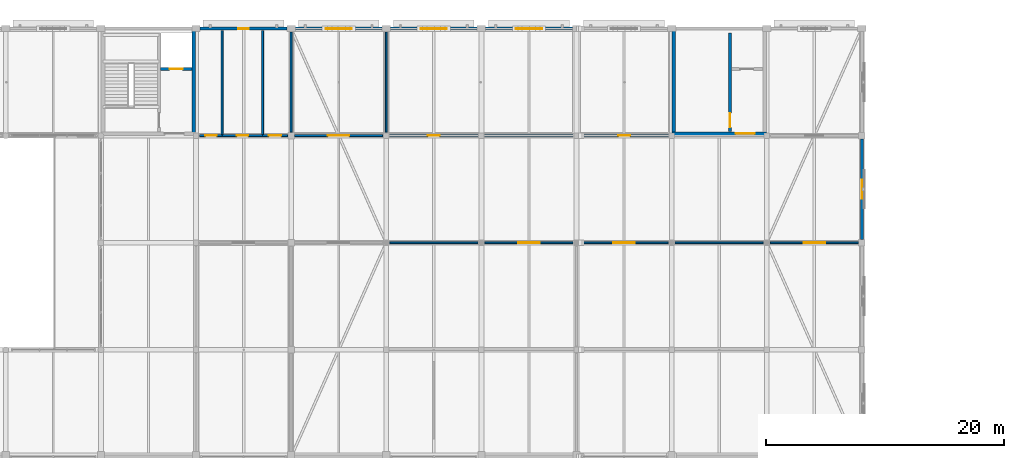
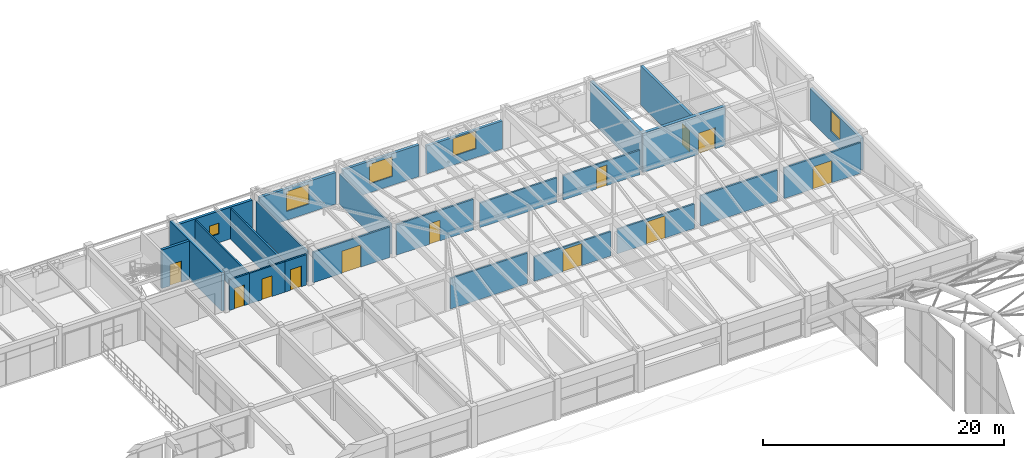
# One storey, part 101 of 126: 26 walls, 12 doors, 5 windows, 17 openings.
"""IFC4 building model written with IfcOpenShell, lengths in metres."""

from ifc_helpers import new_model, si_unit, direction, frame, frame_2d, origin, place, context, subcontext, project, spatial, rectangle, extrude, material, layer, layer_set, type_object, element, fill, save


model = new_model("IFC4")

# Units and contexts
model_context = context("Model", 3, precision=1e-05, world=origin(), true_north=direction((0.0, 1.0)))
body_context = subcontext(model_context, "Body", "Model", "MODEL_VIEW")
ifc_project = project(units=[si_unit("LENGTHUNIT", "METRE"), si_unit("AREAUNIT", "SQUARE_METRE"), si_unit("VOLUMEUNIT", "CUBIC_METRE"), si_unit("PLANEANGLEUNIT", "RADIAN"), si_unit("MASSUNIT", "GRAM", prefix="KILO")], contexts=[model_context])

# Site, building, storey
site_placement = place(None, origin())
site = spatial("IfcSite", under=ifc_project, at=site_placement, CompositionType="ELEMENT")
building_placement = place(site_placement, origin())
building = spatial("IfcBuilding", under=site, at=building_placement, Name="Varnabhumi Central Station", CompositionType="ELEMENT")
storey_placement = place(building_placement, frame((0.0, 0.0, 16.199951171875)))
storey = spatial("IfcBuildingStorey", under=building, at=storey_placement, Name="L03", CompositionType="ELEMENT", Elevation=16.199951171875)

# Walls
ifc_material_1 = material(Name="Concrete M40", Category="concrete")
ifc_layer_1 = layer(ifc_material_1, 0.300048828125, Name="Concrete M40", Category="concrete")
ifc_layer_set_1 = layer_set([ifc_layer_1], Name="Concrete M40")
wall_type_1 = type_object("IfcWallType", Name="WAL-CORE-RC-300", PredefinedType="SHEAR", material=ifc_layer_set_1)
wall_1_placement = place(storey_placement, frame((87.820068359375, 107.179931640625, 0.0), z_axis=(0.0, 0.0, 1.0), x_axis=(0.0, 1.0, 0.0)))
element("IfcWall", 1, at=wall_1_placement, inside=storey, type_object=wall_type_1, Name="NC2 L03 East Shear Wall", PredefinedType="SHEAR", context=body_context, shape_type="SweptSolid", body=[
    extrude(rectangle(XDim=8.64013671875, YDim=0.300048828125, at=frame_2d((4.320068359375, 0.0))), origin(), (0.0, 0.0, 1.0), 3.920166015625),
])
wall_2_placement = place(storey_placement, frame((128.179931640625, 107.179931640625, 0.0), z_axis=(0.0, 0.0, 1.0), x_axis=(0.0, 1.0, 0.0)))
element("IfcWall", 2, at=wall_2_placement, inside=storey, type_object=wall_type_1, Name="NC3 L03 West Shear Wall", PredefinedType="SHEAR", context=body_context, shape_type="SweptSolid", body=[
    extrude(rectangle(XDim=8.64013671875, YDim=0.300048828125, at=frame_2d((4.320068359375, 0.0))), origin(), (0.0, 0.0, 1.0), 3.97998046875),
])

# Wall, opening, door
wall_3_placement = place(storey_placement, frame((128.030029296875, 107.179931640625, 0.0), z_axis=(0.0, 0.0, 1.0), x_axis=(1.0, 0.0, 0.0)))
wall_3 = element("IfcWall", 3, at=wall_3_placement, inside=storey, type_object=wall_type_1, Name="NC3 L03 Corridor Shear Wall", PredefinedType="SHEAR", context=body_context, shape_type="SweptSolid", body=[
    extrude(rectangle(XDim=7.93994140625, YDim=0.300048828125, at=frame_2d((3.969970703125, 0.0))), origin(), (0.0, 0.0, 1.0), 3.97998046875),
])
opening_1_placement = place(wall_3_placement, frame((5.35009765625, 0.0, 0.0)))
opening_1 = element("IfcOpeningElement", 4, at=opening_1_placement, cuts=wall_3, Name="Opening FD-60D", PredefinedType="OPENING", context=body_context, shape_type="SweptSolid", body=[
    extrude(rectangle(XDim=1.60009765625, YDim=2.14990234375, at=frame_2d((0.800048828125, 1.074951171875))), frame((0.0, 0.159912109375, 0.0), z_axis=(0.0, -1.0, 0.0), x_axis=(1.0, 0.0, 0.0)), (0.0, 0.0, 1.0), 0.320068359375),
])
ifc_material_2 = material(Name="Intumescent-treated hardwood timber", Category="wood")
door_type_1 = type_object("IfcDoorType", Name="DR-FIRE-60-1600", OperationType="NOTDEFINED", PredefinedType="DOOR", material=ifc_material_2)
door_1_placement = place(opening_1_placement, frame((1.60009765625, 0.0, 0.0), z_axis=(0.0, 0.0, 1.0), x_axis=(-1.0, 0.0, 0.0)))
door_1 = element("IfcDoor", 5, at=door_1_placement, inside=storey, type_object=door_type_1, Name="NC3 L03 Lobby Fire Door", OperationType="DOUBLE_DOOR_SINGLE_SWING", OverallHeight=2.14990234375, OverallWidth=1.60009765625, PredefinedType="DOOR", context=body_context, shape_type="SweptSolid", body=[
    extrude(rectangle(XDim=1.60009765625, YDim=2.14990234375, at=frame_2d((0.800048828125, 1.074951171875))), frame((0.0, 0.02490234375, 0.0), z_axis=(0.0, -1.0, 0.0), x_axis=(1.0, 0.0, 0.0)), (0.0, 0.0, 1.0), 0.050048828125),
])
fill(opening_1, door_1)

# Wall, opening, window
ifc_material_3 = material(Name="Autoclaved aerated blockwork masonry", Category="masonry")
ifc_layer_2 = layer(ifc_material_3, 0.260009765625, Name="Autoclaved aerated blockwork masonry", Category="masonry")
ifc_layer_set_2 = layer_set([ifc_layer_2], Name="Autoclaved aerated blockwork masonry")
wall_type_2 = type_object("IfcWallType", Name="WAL-EXT-STUCCO-260", PredefinedType="SOLIDWALL", material=ifc_layer_set_2)
wall_4_placement = place(storey_placement, frame((88.344970703125, 116.0, 0.0), z_axis=(0.0, 0.0, 1.0), x_axis=(1.0, 0.0, 0.0)))
wall_4 = element("IfcWall", 6, at=wall_4_placement, inside=storey, type_object=wall_type_2, Name="North Boulevard Wall L03-9", PredefinedType="SOLIDWALL", context=body_context, shape_type="SweptSolid", body=[
    extrude(rectangle(XDim=7.31005859375, YDim=0.260009765625, at=frame_2d((3.655029296875, 0.0))), origin(), (0.0, 0.0, 1.0), 3.2099609375),
])
opening_2_placement = place(wall_4_placement, frame((3.205078125, 0.0, 0.89990234375)))
opening_2 = element("IfcOpeningElement", 7, at=opening_2_placement, cuts=wall_4, Name="Opening W-09", PredefinedType="OPENING", context=body_context, shape_type="SweptSolid", body=[
    extrude(rectangle(XDim=0.89990234375, YDim=1.10009765625, at=frame_2d((0.449951171875, 0.550048828125))), frame((0.0, 0.139892578125, 0.0), z_axis=(0.0, -1.0, 0.0), x_axis=(1.0, 0.0, 0.0)), (0.0, 0.0, 1.0), 0.280029296875),
])
ifc_material_4 = material(Name="Laminated low-E double glazing", Category="glass")
window_type_1 = type_object("IfcWindowType", Name="WIN-WC-900x1100", PartitioningType="SINGLE_PANEL", PredefinedType="WINDOW", material=ifc_material_4)
window_1_placement = place(opening_2_placement, origin())
window_1 = element("IfcWindow", 8, at=window_1_placement, inside=storey, type_object=window_type_1, Name="North Facade Window L03-9", OverallHeight=1.10009765625, OverallWidth=0.89990234375, PartitioningType="SINGLE_PANEL", PredefinedType="WINDOW", context=body_context, shape_type="SweptSolid", body=[
    extrude(rectangle(XDim=0.89990234375, YDim=1.10009765625, at=frame_2d((0.449951171875, 0.550048828125))), frame((0.0, 0.030029296875, 0.0), z_axis=(0.0, -1.0, 0.0), x_axis=(1.0, 0.0, 0.0)), (0.0, 0.0, 1.0), 0.06005859375),
])
fill(opening_2, window_1)

wall_5_placement = place(storey_placement, frame((96.344970703125, 116.0, 0.0), z_axis=(0.0, 0.0, 1.0), x_axis=(1.0, 0.0, 0.0)))
wall_5 = element("IfcWall", 9, at=wall_5_placement, inside=storey, type_object=wall_type_2, Name="North Boulevard Wall L03-10", PredefinedType="SOLIDWALL", context=body_context, shape_type="SweptSolid", body=[
    extrude(rectangle(XDim=7.31005859375, YDim=0.260009765625, at=frame_2d((3.655029296875, 0.0))), origin(), (0.0, 0.0, 1.0), 3.2099609375),
])
opening_3_placement = place(wall_5_placement, frame((2.554931640625, 0.0, 0.89990234375)))
opening_3 = element("IfcOpeningElement", 10, at=opening_3_placement, cuts=wall_5, Name="Opening W-03", PredefinedType="OPENING", context=body_context, shape_type="SweptSolid", body=[
    extrude(rectangle(XDim=2.199951171875, YDim=1.989990234375, at=frame_2d((1.10009765625, 0.9951171875))), frame((0.0, 0.139892578125, 0.0), z_axis=(0.0, -1.0, 0.0), x_axis=(1.0, 0.0, 0.0)), (0.0, 0.0, 1.0), 0.280029296875),
])
window_type_2 = type_object("IfcWindowType", Name="WIN-PIER-2200x2200", PartitioningType="DOUBLE_PANEL_VERTICAL", PredefinedType="WINDOW", material=ifc_material_4)
window_2_placement = place(opening_3_placement, origin())
window_2 = element("IfcWindow", 11, at=window_2_placement, inside=storey, type_object=window_type_2, Name="North Facade Window L03-10", OverallHeight=1.989990234375, OverallWidth=2.199951171875, PartitioningType="SINGLE_PANEL", PredefinedType="WINDOW", context=body_context, shape_type="SweptSolid", body=[
    extrude(rectangle(XDim=2.199951171875, YDim=1.989990234375, at=frame_2d((1.10009765625, 0.9951171875))), frame((0.0, 0.030029296875, 0.0), z_axis=(0.0, -1.0, 0.0), x_axis=(1.0, 0.0, 0.0)), (0.0, 0.0, 1.0), 0.06005859375),
])
fill(opening_3, window_2)

wall_6_placement = place(storey_placement, frame((104.344970703125, 116.0, 0.0), z_axis=(0.0, 0.0, 1.0), x_axis=(1.0, 0.0, 0.0)))
wall_6 = element("IfcWall", 12, at=wall_6_placement, inside=storey, type_object=wall_type_2, Name="North Boulevard Wall L03-11", PredefinedType="SOLIDWALL", context=body_context, shape_type="SweptSolid", body=[
    extrude(rectangle(XDim=7.31005859375, YDim=0.260009765625, at=frame_2d((3.655029296875, 0.0))), origin(), (0.0, 0.0, 1.0), 3.2099609375),
])
opening_4_placement = place(wall_6_placement, frame((2.554931640625, 0.0, 0.89990234375)))
opening_4 = element("IfcOpeningElement", 13, at=opening_4_placement, cuts=wall_6, Name="Opening W-03", PredefinedType="OPENING", context=body_context, shape_type="SweptSolid", body=[
    extrude(rectangle(XDim=2.199951171875, YDim=1.989990234375, at=frame_2d((1.10009765625, 0.9951171875))), frame((0.0, 0.139892578125, 0.0), z_axis=(0.0, -1.0, 0.0), x_axis=(1.0, 0.0, 0.0)), (0.0, 0.0, 1.0), 0.280029296875),
])
window_3_placement = place(opening_4_placement, origin())
window_3 = element("IfcWindow", 14, at=window_3_placement, inside=storey, type_object=window_type_2, Name="North Facade Window L03-11", OverallHeight=1.989990234375, OverallWidth=2.199951171875, PartitioningType="SINGLE_PANEL", PredefinedType="WINDOW", context=body_context, shape_type="SweptSolid", body=[
    extrude(rectangle(XDim=2.199951171875, YDim=1.989990234375, at=frame_2d((1.10009765625, 0.9951171875))), frame((0.0, 0.030029296875, 0.0), z_axis=(0.0, -1.0, 0.0), x_axis=(1.0, 0.0, 0.0)), (0.0, 0.0, 1.0), 0.06005859375),
])
fill(opening_4, window_3)

wall_7_placement = place(storey_placement, frame((112.344970703125, 116.0, 0.0), z_axis=(0.0, 0.0, 1.0), x_axis=(1.0, 0.0, 0.0)))
wall_7 = element("IfcWall", 15, at=wall_7_placement, inside=storey, type_object=wall_type_2, Name="North Boulevard Wall L03-12", PredefinedType="SOLIDWALL", context=body_context, shape_type="SweptSolid", body=[
    extrude(rectangle(XDim=7.31005859375, YDim=0.260009765625, at=frame_2d((3.655029296875, 0.0))), origin(), (0.0, 0.0, 1.0), 2.830078125),
])
opening_5_placement = place(wall_7_placement, frame((2.554931640625, 0.0, 0.89990234375)))
opening_5 = element("IfcOpeningElement", 16, at=opening_5_placement, cuts=wall_7, Name="Opening W-03", PredefinedType="OPENING", context=body_context, shape_type="SweptSolid", body=[
    extrude(rectangle(XDim=2.199951171875, YDim=1.7900390625, at=frame_2d((1.10009765625, 0.89501953125))), frame((0.0, 0.139892578125, 0.0), z_axis=(0.0, -1.0, 0.0), x_axis=(1.0, 0.0, 0.0)), (0.0, 0.0, 1.0), 0.280029296875),
])
window_4_placement = place(opening_5_placement, origin())
window_4 = element("IfcWindow", 17, at=window_4_placement, inside=storey, type_object=window_type_2, Name="North Facade Window L03-12", OverallHeight=1.7900390625, OverallWidth=2.199951171875, PartitioningType="SINGLE_PANEL", PredefinedType="WINDOW", context=body_context, shape_type="SweptSolid", body=[
    extrude(rectangle(XDim=2.199951171875, YDim=1.7900390625, at=frame_2d((1.10009765625, 0.89501953125))), frame((0.0, 0.030029296875, 0.0), z_axis=(0.0, -1.0, 0.0), x_axis=(1.0, 0.0, 0.0)), (0.0, 0.0, 1.0), 0.06005859375),
])
fill(opening_5, window_4)

wall_8_placement = place(storey_placement, frame((144.0, 98.27001953125, 0.0), z_axis=(0.0, 0.0, 1.0), x_axis=(0.0, 1.0, 0.0)))
wall_8 = element("IfcWall", 18, at=wall_8_placement, inside=storey, type_object=wall_type_2, Name="North Wing W End Wall L03-3", PredefinedType="SOLIDWALL", context=body_context, shape_type="SweptSolid", body=[
    extrude(rectangle(XDim=8.4599609375, YDim=0.260009765625, at=frame_2d((4.22998046875, 0.0))), origin(), (0.0, 0.0, 1.0), 3.239990234375),
])
opening_6_placement = place(wall_8_placement, frame((3.429931640625, 0.0, 0.949951171875)))
opening_6 = element("IfcOpeningElement", 19, at=opening_6_placement, cuts=wall_8, Name="Opening W-04", PredefinedType="OPENING", context=body_context, shape_type="SweptSolid", body=[
    extrude(rectangle(XDim=1.60009765625, YDim=2.10009765625, at=frame_2d((0.800048828125, 1.050048828125))), frame((0.0, 0.139892578125, 0.0), z_axis=(0.0, -1.0, 0.0), x_axis=(1.0, 0.0, 0.0)), (0.0, 0.0, 1.0), 0.280029296875),
])
window_type_3 = type_object("IfcWindowType", Name="WIN-PIER-1600x2200", PartitioningType="SINGLE_PANEL", PredefinedType="WINDOW", material=ifc_material_4)
window_5_placement = place(opening_6_placement, origin())
window_5 = element("IfcWindow", 20, at=window_5_placement, inside=storey, type_object=window_type_3, Name="North W Window L03-3", OverallHeight=2.10009765625, OverallWidth=1.60009765625, PartitioningType="SINGLE_PANEL", PredefinedType="WINDOW", context=body_context, shape_type="SweptSolid", body=[
    extrude(rectangle(XDim=1.60009765625, YDim=2.10009765625, at=frame_2d((0.800048828125, 1.050048828125))), frame((0.0, 0.030029296875, 0.0), z_axis=(0.0, -1.0, 0.0), x_axis=(1.0, 0.0, 0.0)), (0.0, 0.0, 1.0), 0.06005859375),
])
fill(opening_6, window_5)

# Wall, opening, door
ifc_layer_3 = layer(ifc_material_3, 0.159912109375, Name="Autoclaved aerated blockwork masonry", Category="masonry")
ifc_layer_set_3 = layer_set([ifc_layer_3], Name="Autoclaved aerated blockwork masonry")
wall_type_3 = type_object("IfcWallType", Name="WAL-PART-AAC-160", PredefinedType="PARTITIONING", material=ifc_layer_set_3)
wall_9_placement = place(storey_placement, frame((88.300048828125, 107.0, 0.0), z_axis=(0.0, 0.0, 1.0), x_axis=(1.0, 0.0, 0.0)))
wall_9 = element("IfcWall", 21, at=wall_9_placement, inside=storey, type_object=wall_type_3, Name="Public Male WC L03 North Corridor Partition 1", PredefinedType="PARTITIONING", context=body_context, shape_type="SweptSolid", body=[
    extrude(rectangle(XDim=1.89990234375, YDim=0.159912109375, at=frame_2d((0.949951171875, 0.0))), origin(), (0.0, 0.0, 1.0), 3.10009765625),
])
opening_7_placement = place(wall_9_placement, frame((0.47509765625, 0.0, 0.0)))
opening_7 = element("IfcOpeningElement", 22, at=opening_7_placement, cuts=wall_9, Name="Opening D-04", PredefinedType="OPENING", context=body_context, shape_type="SweptSolid", body=[
    extrude(rectangle(XDim=0.949951171875, YDim=2.10009765625, at=frame_2d((0.47509765625, 1.050048828125))), frame((0.0, 0.08984375, 0.0), z_axis=(0.0, -1.0, 0.0), x_axis=(1.0, 0.0, 0.0)), (0.0, 0.0, 1.0), 0.179931640625),
])
door_type_2 = type_object("IfcDoorType", Name="DR-WC-950", OperationType="NOTDEFINED", PredefinedType="DOOR", material=ifc_material_2)
door_2_placement = place(opening_7_placement, frame((0.949951171875, 0.0, 0.0), z_axis=(0.0, 0.0, 1.0), x_axis=(-1.0, 0.0, 0.0)))
door_2 = element("IfcDoor", 23, at=door_2_placement, inside=storey, type_object=door_type_2, Name="Public Male WC L03 North Door 1", OperationType="SINGLE_SWING_LEFT", OverallHeight=2.10009765625, OverallWidth=0.949951171875, PredefinedType="DOOR", context=body_context, shape_type="SweptSolid", body=[
    extrude(rectangle(XDim=0.949951171875, YDim=2.10009765625, at=frame_2d((0.47509765625, 1.050048828125))), frame((0.0, 0.02490234375, 0.0), z_axis=(0.0, -1.0, 0.0), x_axis=(1.0, 0.0, 0.0)), (0.0, 0.0, 1.0), 0.050048828125),
])
fill(opening_7, door_2)

# Wall
wall_10_placement = place(storey_placement, frame((90.199951171875, 107.080078125, 0.0), z_axis=(0.0, 0.0, 1.0), x_axis=(0.0, 1.0, 0.0)))
element("IfcWall", 24, at=wall_10_placement, inside=storey, type_object=wall_type_3, Name="Public Male WC L03 North W Partition 1", PredefinedType="PARTITIONING", context=body_context, shape_type="SweptSolid", body=[
    extrude(rectangle(XDim=8.760009765625, YDim=0.159912109375, at=frame_2d((4.3798828125, 0.0))), origin(), (0.0, 0.0, 1.0), 3.10009765625),
])

# Wall, opening, door
wall_11_placement = place(storey_placement, frame((90.199951171875, 107.0, 0.0), z_axis=(0.0, 0.0, 1.0), x_axis=(1.0, 0.0, 0.0)))
wall_11 = element("IfcWall", 25, at=wall_11_placement, inside=storey, type_object=wall_type_3, Name="Public Female WC L03 North Corridor Partition 1", PredefinedType="PARTITIONING", context=body_context, shape_type="SweptSolid", body=[
    extrude(rectangle(XDim=3.400146484375, YDim=0.159912109375, at=frame_2d((1.7001953125, 0.0))), origin(), (0.0, 0.0, 1.0), 3.10009765625),
])
opening_8_placement = place(wall_11_placement, frame((1.22509765625, 0.0, 0.0)))
opening_8 = element("IfcOpeningElement", 26, at=opening_8_placement, cuts=wall_11, Name="Opening D-04", PredefinedType="OPENING", context=body_context, shape_type="SweptSolid", body=[
    extrude(rectangle(XDim=0.949951171875, YDim=2.10009765625, at=frame_2d((0.47509765625, 1.050048828125))), frame((0.0, 0.08984375, 0.0), z_axis=(0.0, -1.0, 0.0), x_axis=(1.0, 0.0, 0.0)), (0.0, 0.0, 1.0), 0.179931640625),
])
door_3_placement = place(opening_8_placement, frame((0.949951171875, 0.0, 0.0), z_axis=(0.0, 0.0, 1.0), x_axis=(-1.0, 0.0, 0.0)))
door_3 = element("IfcDoor", 27, at=door_3_placement, inside=storey, type_object=door_type_2, Name="Public Female WC L03 North Door 1", OperationType="SINGLE_SWING_RIGHT", OverallHeight=2.10009765625, OverallWidth=0.949951171875, PredefinedType="DOOR", context=body_context, shape_type="SweptSolid", body=[
    extrude(rectangle(XDim=0.949951171875, YDim=2.10009765625, at=frame_2d((0.47509765625, 1.050048828125))), frame((0.0, 0.02490234375, 0.0), z_axis=(0.0, -1.0, 0.0), x_axis=(1.0, 0.0, 0.0)), (0.0, 0.0, 1.0), 0.050048828125),
])
fill(opening_8, door_3)

# Wall
wall_12_placement = place(storey_placement, frame((93.60009765625, 107.080078125, 0.0), z_axis=(0.0, 0.0, 1.0), x_axis=(0.0, 1.0, 0.0)))
element("IfcWall", 28, at=wall_12_placement, inside=storey, type_object=wall_type_3, Name="Public Female WC L03 North W Partition 1", PredefinedType="PARTITIONING", context=body_context, shape_type="SweptSolid", body=[
    extrude(rectangle(XDim=8.760009765625, YDim=0.159912109375, at=frame_2d((4.3798828125, 0.0))), origin(), (0.0, 0.0, 1.0), 3.10009765625),
])

# Wall, opening, door
wall_13_placement = place(storey_placement, frame((93.60009765625, 107.0, 0.0), z_axis=(0.0, 0.0, 1.0), x_axis=(1.0, 0.0, 0.0)))
wall_13 = element("IfcWall", 29, at=wall_13_placement, inside=storey, type_object=wall_type_3, Name="Accessible WC L03 North Corridor Partition 1", PredefinedType="PARTITIONING", context=body_context, shape_type="SweptSolid", body=[
    extrude(rectangle(XDim=2.099853515625, YDim=0.159912109375, at=frame_2d((1.0498046875, 0.0))), origin(), (0.0, 0.0, 1.0), 3.10009765625),
])
opening_9_placement = place(wall_13_placement, frame((0.52490234375, 0.0, 0.0)))
opening_9 = element("IfcOpeningElement", 30, at=opening_9_placement, cuts=wall_13, Name="Opening D-05", PredefinedType="OPENING", context=body_context, shape_type="SweptSolid", body=[
    extrude(rectangle(XDim=1.050048828125, YDim=2.10009765625, at=frame_2d((0.52490234375, 1.050048828125))), frame((0.0, 0.08984375, 0.0), z_axis=(0.0, -1.0, 0.0), x_axis=(1.0, 0.0, 0.0)), (0.0, 0.0, 1.0), 0.179931640625),
])
door_type_3 = type_object("IfcDoorType", Name="DR-ACC-WC-1050", OperationType="NOTDEFINED", PredefinedType="DOOR", material=ifc_material_2)
door_4_placement = place(opening_9_placement, frame((1.050048828125, 0.0, 0.0), z_axis=(0.0, 0.0, 1.0), x_axis=(-1.0, 0.0, 0.0)))
door_4 = element("IfcDoor", 31, at=door_4_placement, inside=storey, type_object=door_type_3, Name="Accessible WC L03 North Door 1", OperationType="SINGLE_SWING_LEFT", OverallHeight=2.10009765625, OverallWidth=1.050048828125, PredefinedType="DOOR", context=body_context, shape_type="SweptSolid", body=[
    extrude(rectangle(XDim=1.050048828125, YDim=2.10009765625, at=frame_2d((0.52490234375, 1.050048828125))), frame((0.0, 0.02490234375, 0.0), z_axis=(0.0, -1.0, 0.0), x_axis=(1.0, 0.0, 0.0)), (0.0, 0.0, 1.0), 0.050048828125),
])
fill(opening_9, door_4)

# Walls
wall_14_placement = place(storey_placement, frame((96.0, 107.300048828125, 0.0), z_axis=(0.0, 0.0, 1.0), x_axis=(0.0, 1.0, 0.0)))
element("IfcWall", 32, at=wall_14_placement, inside=storey, type_object=wall_type_3, Name="Accessible WC L03 North W Partition 1", PredefinedType="PARTITIONING", context=body_context, shape_type="SweptSolid", body=[
    extrude(rectangle(XDim=8.39990234375, YDim=0.159912109375, at=frame_2d((4.199951171875, 0.0))), origin(), (0.0, 0.0, 1.0), 3.10009765625),
])
wall_15_placement = place(storey_placement, frame((104.300048828125, 98.0, 0.0), z_axis=(0.0, 0.0, 1.0), x_axis=(1.0, 0.0, 0.0)))
element("IfcWall", 33, at=wall_15_placement, inside=storey, type_object=wall_type_3, Name="Travellers' Reading Room and Study Corridor Partition 2", PredefinedType="PARTITIONING", context=body_context, shape_type="SweptSolid", body=[
    extrude(rectangle(XDim=7.39990234375, YDim=0.159912109375, at=frame_2d((3.699951171875, 0.0))), origin(), (0.0, 0.0, 1.0), 3.10009765625),
])

# Wall, opening, door
wall_16_placement = place(storey_placement, frame((112.300048828125, 98.0, 0.0), z_axis=(0.0, 0.0, 1.0), x_axis=(1.0, 0.0, 0.0)))
wall_16 = element("IfcWall", 34, at=wall_16_placement, inside=storey, type_object=wall_type_3, Name="Travellers' Reading Room and Study Corridor Partition 3", PredefinedType="PARTITIONING", context=body_context, shape_type="SweptSolid", body=[
    extrude(rectangle(XDim=7.39990234375, YDim=0.159912109375, at=frame_2d((3.699951171875, 0.0))), origin(), (0.0, 0.0, 1.0), 2.47998046875),
])
opening_10_placement = place(wall_16_placement, frame((2.800048828125, 0.0, 0.0)))
opening_10 = element("IfcOpeningElement", 35, at=opening_10_placement, cuts=wall_16, Name="Opening D-02", PredefinedType="OPENING", context=body_context, shape_type="SweptSolid", body=[
    extrude(rectangle(XDim=1.800048828125, YDim=2.25, at=frame_2d((0.89990234375, 1.125))), frame((0.0, 0.08984375, 0.0), z_axis=(0.0, -1.0, 0.0), x_axis=(1.0, 0.0, 0.0)), (0.0, 0.0, 1.0), 0.179931640625),
])
ifc_material_5 = material(Name="Anodised aluminium 6063-T6", Category="aluminium")
door_type_4 = type_object("IfcDoorType", Name="DR-LOUNGE-1800", OperationType="NOTDEFINED", PredefinedType="DOOR", material=ifc_material_5)
door_5_placement = place(opening_10_placement, origin())
door_5 = element("IfcDoor", 36, at=door_5_placement, inside=storey, type_object=door_type_4, Name="Travellers' Reading Room and Study Door 3", OperationType="DOUBLE_DOOR_SINGLE_SWING", OverallHeight=2.25, OverallWidth=1.800048828125, PredefinedType="DOOR", context=body_context, shape_type="SweptSolid", body=[
    extrude(rectangle(XDim=1.800048828125, YDim=2.25, at=frame_2d((0.89990234375, 1.125))), frame((0.0, 0.02490234375, 0.0), z_axis=(0.0, -1.0, 0.0), x_axis=(1.0, 0.0, 0.0)), (0.0, 0.0, 1.0), 0.050048828125),
])
fill(opening_10, door_5)

wall_17_placement = place(storey_placement, frame((96.300048828125, 107.0, 0.0), z_axis=(0.0, 0.0, 1.0), x_axis=(1.0, 0.0, 0.0)))
wall_17 = element("IfcWall", 37, at=wall_17_placement, inside=storey, type_object=wall_type_3, Name="Dining Gallery Preparation Pantry Corridor Partition 1", PredefinedType="PARTITIONING", context=body_context, shape_type="SweptSolid", body=[
    extrude(rectangle(XDim=7.39990234375, YDim=0.159912109375, at=frame_2d((3.699951171875, 0.0))), origin(), (0.0, 0.0, 1.0), 3.10009765625),
])
opening_11_placement = place(wall_17_placement, frame((2.800048828125, 0.0, 0.0)))
opening_11 = element("IfcOpeningElement", 38, at=opening_11_placement, cuts=wall_17, Name="Opening D-02", PredefinedType="OPENING", context=body_context, shape_type="SweptSolid", body=[
    extrude(rectangle(XDim=1.800048828125, YDim=2.25, at=frame_2d((0.89990234375, 1.125))), frame((0.0, 0.08984375, 0.0), z_axis=(0.0, -1.0, 0.0), x_axis=(1.0, 0.0, 0.0)), (0.0, 0.0, 1.0), 0.179931640625),
])
door_6_placement = place(opening_11_placement, frame((1.800048828125, 0.0, 0.0), z_axis=(0.0, 0.0, 1.0), x_axis=(-1.0, 0.0, 0.0)))
door_6 = element("IfcDoor", 39, at=door_6_placement, inside=storey, type_object=door_type_4, Name="Dining Gallery Preparation Pantry Door 1", OperationType="DOUBLE_DOOR_SINGLE_SWING", OverallHeight=2.25, OverallWidth=1.800048828125, PredefinedType="DOOR", context=body_context, shape_type="SweptSolid", body=[
    extrude(rectangle(XDim=1.800048828125, YDim=2.25, at=frame_2d((0.89990234375, 1.125))), frame((0.0, 0.02490234375, 0.0), z_axis=(0.0, -1.0, 0.0), x_axis=(1.0, 0.0, 0.0)), (0.0, 0.0, 1.0), 0.050048828125),
])
fill(opening_11, door_6)

# Wall
wall_18_placement = place(storey_placement, frame((104.0, 107.300048828125, 0.0), z_axis=(0.0, 0.0, 1.0), x_axis=(0.0, 1.0, 0.0)))
element("IfcWall", 40, at=wall_18_placement, inside=storey, type_object=wall_type_3, Name="Dining Gallery Preparation Pantry W Partition 1", PredefinedType="PARTITIONING", context=body_context, shape_type="SweptSolid", body=[
    extrude(rectangle(XDim=8.39990234375, YDim=0.159912109375, at=frame_2d((4.199951171875, 0.0))), origin(), (0.0, 0.0, 1.0), 3.10009765625),
])

# Wall, opening, door
wall_19_placement = place(storey_placement, frame((104.300048828125, 107.0, 0.0), z_axis=(0.0, 0.0, 1.0), x_axis=(1.0, 0.0, 0.0)))
wall_19 = element("IfcWall", 41, at=wall_19_placement, inside=storey, type_object=wall_type_3, Name="Station Commercial Administration Office Corridor Partition 1", PredefinedType="PARTITIONING", context=body_context, shape_type="SweptSolid", body=[
    extrude(rectangle(XDim=7.39990234375, YDim=0.159912109375, at=frame_2d((3.699951171875, 0.0))), origin(), (0.0, 0.0, 1.0), 3.10009765625),
])
opening_12_placement = place(wall_19_placement, frame((3.199951171875, 0.0, 0.0)))
opening_12 = element("IfcOpeningElement", 42, at=opening_12_placement, cuts=wall_19, Name="Opening D-01", PredefinedType="OPENING", context=body_context, shape_type="SweptSolid", body=[
    extrude(rectangle(XDim=1.0, YDim=2.10009765625, at=frame_2d((0.5, 1.050048828125))), frame((0.0, 0.08984375, 0.0), z_axis=(0.0, -1.0, 0.0), x_axis=(1.0, 0.0, 0.0)), (0.0, 0.0, 1.0), 0.179931640625),
])
door_type_5 = type_object("IfcDoorType", Name="DR-ROOM-1000", OperationType="NOTDEFINED", PredefinedType="DOOR", material=ifc_material_2)
door_7_placement = place(opening_12_placement, frame((1.0, 0.0, 0.0), z_axis=(0.0, 0.0, 1.0), x_axis=(-1.0, 0.0, 0.0)))
door_7 = element("IfcDoor", 43, at=door_7_placement, inside=storey, type_object=door_type_5, Name="Station Commercial Administration Office Door 1", OperationType="SINGLE_SWING_RIGHT", OverallHeight=2.10009765625, OverallWidth=1.0, PredefinedType="DOOR", context=body_context, shape_type="SweptSolid", body=[
    extrude(rectangle(XDim=1.0, YDim=2.10009765625, at=frame_2d((0.5, 1.050048828125))), frame((0.0, 0.02490234375, 0.0), z_axis=(0.0, -1.0, 0.0), x_axis=(1.0, 0.0, 0.0)), (0.0, 0.0, 1.0), 0.050048828125),
])
fill(opening_12, door_7)

# Wall
wall_20_placement = place(storey_placement, frame((112.300048828125, 107.0, 0.0), z_axis=(0.0, 0.0, 1.0), x_axis=(1.0, 0.0, 0.0)))
element("IfcWall", 44, at=wall_20_placement, inside=storey, type_object=wall_type_3, Name="Station Commercial Administration Office Corridor Partition 2", PredefinedType="PARTITIONING", context=body_context, shape_type="SweptSolid", body=[
    extrude(rectangle(XDim=7.39990234375, YDim=0.159912109375, at=frame_2d((3.699951171875, 0.0))), origin(), (0.0, 0.0, 1.0), 2.47998046875),
])

# Wall, opening, door
wall_21_placement = place(storey_placement, frame((120.300048828125, 107.0, 0.0), z_axis=(0.0, 0.0, 1.0), x_axis=(1.0, 0.0, 0.0)))
wall_21 = element("IfcWall", 45, at=wall_21_placement, inside=storey, type_object=wall_type_3, Name="Station Commercial Administration Office Corridor Partition 3", PredefinedType="PARTITIONING", context=body_context, shape_type="SweptSolid", body=[
    extrude(rectangle(XDim=7.39990234375, YDim=0.159912109375, at=frame_2d((3.699951171875, 0.0))), origin(), (0.0, 0.0, 1.0), 2.47998046875),
])
opening_13_placement = place(wall_21_placement, frame((3.199951171875, 0.0, 0.0)))
opening_13 = element("IfcOpeningElement", 46, at=opening_13_placement, cuts=wall_21, Name="Opening D-01", PredefinedType="OPENING", context=body_context, shape_type="SweptSolid", body=[
    extrude(rectangle(XDim=1.0, YDim=2.10009765625, at=frame_2d((0.5, 1.050048828125))), frame((0.0, 0.08984375, 0.0), z_axis=(0.0, -1.0, 0.0), x_axis=(1.0, 0.0, 0.0)), (0.0, 0.0, 1.0), 0.179931640625),
])
door_8_placement = place(opening_13_placement, frame((1.0, 0.0, 0.0), z_axis=(0.0, 0.0, 1.0), x_axis=(-1.0, 0.0, 0.0)))
door_8 = element("IfcDoor", 47, at=door_8_placement, inside=storey, type_object=door_type_5, Name="Station Commercial Administration Office Door 3", OperationType="SINGLE_SWING_LEFT", OverallHeight=2.10009765625, OverallWidth=1.0, PredefinedType="DOOR", context=body_context, shape_type="SweptSolid", body=[
    extrude(rectangle(XDim=1.0, YDim=2.10009765625, at=frame_2d((0.5, 1.050048828125))), frame((0.0, 0.02490234375, 0.0), z_axis=(0.0, -1.0, 0.0), x_axis=(1.0, 0.0, 0.0)), (0.0, 0.0, 1.0), 0.050048828125),
])
fill(opening_13, door_8)

wall_22_placement = place(storey_placement, frame((120.300048828125, 98.0, 0.0), z_axis=(0.0, 0.0, 1.0), x_axis=(1.0, 0.0, 0.0)))
wall_22 = element("IfcWall", 48, at=wall_22_placement, inside=storey, type_object=wall_type_3, Name="East Terrace Tea Lounge Corridor Partition 1", PredefinedType="PARTITIONING", context=body_context, shape_type="SweptSolid", body=[
    extrude(rectangle(XDim=7.39990234375, YDim=0.159912109375, at=frame_2d((3.699951171875, 0.0))), origin(), (0.0, 0.0, 1.0), 2.47998046875),
])
opening_14_placement = place(wall_22_placement, frame((2.800048828125, 0.0, 0.0)))
opening_14 = element("IfcOpeningElement", 49, at=opening_14_placement, cuts=wall_22, Name="Opening D-02", PredefinedType="OPENING", context=body_context, shape_type="SweptSolid", body=[
    extrude(rectangle(XDim=1.800048828125, YDim=2.25, at=frame_2d((0.89990234375, 1.125))), frame((0.0, 0.08984375, 0.0), z_axis=(0.0, -1.0, 0.0), x_axis=(1.0, 0.0, 0.0)), (0.0, 0.0, 1.0), 0.179931640625),
])
door_9_placement = place(opening_14_placement, origin())
door_9 = element("IfcDoor", 50, at=door_9_placement, inside=storey, type_object=door_type_4, Name="East Terrace Tea Lounge Door 1", OperationType="DOUBLE_DOOR_SINGLE_SWING", OverallHeight=2.25, OverallWidth=1.800048828125, PredefinedType="DOOR", context=body_context, shape_type="SweptSolid", body=[
    extrude(rectangle(XDim=1.800048828125, YDim=2.25, at=frame_2d((0.89990234375, 1.125))), frame((0.0, 0.02490234375, 0.0), z_axis=(0.0, -1.0, 0.0), x_axis=(1.0, 0.0, 0.0)), (0.0, 0.0, 1.0), 0.050048828125),
])
fill(opening_14, door_9)

# Wall
wall_23_placement = place(storey_placement, frame((128.300048828125, 98.0, 0.0), z_axis=(0.0, 0.0, 1.0), x_axis=(1.0, 0.0, 0.0)))
element("IfcWall", 51, at=wall_23_placement, inside=storey, type_object=wall_type_3, Name="East Terrace Tea Lounge Corridor Partition 2", PredefinedType="PARTITIONING", context=body_context, shape_type="SweptSolid", body=[
    extrude(rectangle(XDim=7.39990234375, YDim=0.159912109375, at=frame_2d((3.699951171875, 0.0))), origin(), (0.0, 0.0, 1.0), 3.10009765625),
])

# Wall, opening, door
wall_24_placement = place(storey_placement, frame((136.300048828125, 98.0, 0.0), z_axis=(0.0, 0.0, 1.0), x_axis=(1.0, 0.0, 0.0)))
wall_24 = element("IfcWall", 52, at=wall_24_placement, inside=storey, type_object=wall_type_3, Name="East Terrace Tea Lounge Corridor Partition 3", PredefinedType="PARTITIONING", context=body_context, shape_type="SweptSolid", body=[
    extrude(rectangle(XDim=7.39990234375, YDim=0.159912109375, at=frame_2d((3.699951171875, 0.0))), origin(), (0.0, 0.0, 1.0), 3.10009765625),
])
opening_15_placement = place(wall_24_placement, frame((2.800048828125, 0.0, 0.0)))
opening_15 = element("IfcOpeningElement", 53, at=opening_15_placement, cuts=wall_24, Name="Opening D-02", PredefinedType="OPENING", context=body_context, shape_type="SweptSolid", body=[
    extrude(rectangle(XDim=1.800048828125, YDim=2.25, at=frame_2d((0.89990234375, 1.125))), frame((0.0, 0.08984375, 0.0), z_axis=(0.0, -1.0, 0.0), x_axis=(1.0, 0.0, 0.0)), (0.0, 0.0, 1.0), 0.179931640625),
])
door_10_placement = place(opening_15_placement, origin())
door_10 = element("IfcDoor", 54, at=door_10_placement, inside=storey, type_object=door_type_4, Name="East Terrace Tea Lounge Door 3", OperationType="DOUBLE_DOOR_SINGLE_SWING", OverallHeight=2.25, OverallWidth=1.800048828125, PredefinedType="DOOR", context=body_context, shape_type="SweptSolid", body=[
    extrude(rectangle(XDim=1.800048828125, YDim=2.25, at=frame_2d((0.89990234375, 1.125))), frame((0.0, 0.02490234375, 0.0), z_axis=(0.0, -1.0, 0.0), x_axis=(1.0, 0.0, 0.0)), (0.0, 0.0, 1.0), 0.050048828125),
])
fill(opening_15, door_10)

ifc_layer_4 = layer(ifc_material_1, 0.239990234375, Name="Concrete M40", Category="concrete")
ifc_layer_set_4 = layer_set([ifc_layer_4], Name="Concrete M40")
wall_type_4 = type_object("IfcWallType", Name="WAL-SHAFT-RC-240", PredefinedType="SHEAR", material=ifc_layer_set_4)
wall_25_placement = place(storey_placement, frame((85.02001953125, 112.60009765625, 0.0), z_axis=(0.0, 0.0, 1.0), x_axis=(1.0, 0.0, 0.0)))
wall_25 = element("IfcWall", 55, at=wall_25_placement, inside=storey, type_object=wall_type_4, Name="PL-7 L03 Lift Shaft Front Wall", PredefinedType="SHEAR", context=body_context, shape_type="SweptSolid", body=[
    extrude(rectangle(XDim=2.6298828125, YDim=0.239990234375, at=frame_2d((1.31494140625, 0.0))), origin(), (0.0, 0.0, 1.0), 3.920166015625),
])
opening_16_placement = place(wall_25_placement, frame((0.764892578125, 0.0, 0.0)))
opening_16 = element("IfcOpeningElement", 56, at=opening_16_placement, cuts=wall_25, Name="Opening LD-PL-7", PredefinedType="OPENING", context=body_context, shape_type="SweptSolid", body=[
    extrude(rectangle(XDim=1.10009765625, YDim=2.14990234375, at=frame_2d((0.550048828125, 1.074951171875))), frame((0.0, 0.1298828125, 0.0), z_axis=(0.0, -1.0, 0.0), x_axis=(1.0, 0.0, 0.0)), (0.0, 0.0, 1.0), 0.260009765625),
])
ifc_material_6 = material(Name="Stainless steel Grade 316", Category="steel")
door_type_6 = type_object("IfcDoorType", Name="DR-LIFT-PASS-1100", OperationType="NOTDEFINED", PredefinedType="DOOR", material=ifc_material_6)
door_11_placement = place(opening_16_placement, origin())
door_11 = element("IfcDoor", 57, at=door_11_placement, inside=storey, type_object=door_type_6, Name="Lift Landing Door PL-7 L03", OperationType="DOUBLE_DOOR_SLIDING", OverallHeight=2.14990234375, OverallWidth=1.10009765625, PredefinedType="DOOR", context=body_context, shape_type="SweptSolid", body=[
    extrude(rectangle(XDim=1.10009765625, YDim=2.14990234375, at=frame_2d((0.550048828125, 1.074951171875))), frame((0.0, 0.02490234375, 0.0), z_axis=(0.0, -1.0, 0.0), x_axis=(1.0, 0.0, 0.0)), (0.0, 0.0, 1.0), 0.050048828125),
])
fill(opening_16, door_11)

wall_26_placement = place(storey_placement, frame((132.89990234375, 107.35009765625, 0.0), z_axis=(0.0, 0.0, 1.0), x_axis=(0.0, 1.0, 0.0)))
wall_26 = element("IfcWall", 58, at=wall_26_placement, inside=storey, type_object=wall_type_4, Name="NC3 L03 Stair-Lobby Divider Wall", PredefinedType="SHEAR", context=body_context, shape_type="SweptSolid", body=[
    extrude(rectangle(XDim=8.2998046875, YDim=0.239990234375, at=frame_2d((4.14990234375, 0.0))), origin(), (0.0, 0.0, 1.0), 3.97998046875),
])
opening_17_placement = place(wall_26_placement, frame((0.35009765625, 0.0, 0.0)))
opening_17 = element("IfcOpeningElement", 59, at=opening_17_placement, cuts=wall_26, Name="Opening FD-120", PredefinedType="OPENING", context=body_context, shape_type="SweptSolid", body=[
    extrude(rectangle(XDim=1.199951171875, YDim=2.14990234375, at=frame_2d((0.60009765625, 1.074951171875))), frame((0.0, 0.1298828125, 0.0), z_axis=(0.0, -1.0, 0.0), x_axis=(1.0, 0.0, 0.0)), (0.0, 0.0, 1.0), 0.260009765625),
])
door_type_7 = type_object("IfcDoorType", Name="DR-FIRE-120-1200", OperationType="NOTDEFINED", PredefinedType="DOOR", material=ifc_material_6)
door_12_placement = place(opening_17_placement, origin())
door_12 = element("IfcDoor", 60, at=door_12_placement, inside=storey, type_object=door_type_7, Name="ST-N3 L03 Fire Door", OperationType="SINGLE_SWING_RIGHT", OverallHeight=2.14990234375, OverallWidth=1.199951171875, PredefinedType="DOOR", context=body_context, shape_type="SweptSolid", body=[
    extrude(rectangle(XDim=1.199951171875, YDim=2.14990234375, at=frame_2d((0.60009765625, 1.074951171875))), frame((0.0, 0.02490234375, 0.0), z_axis=(0.0, -1.0, 0.0), x_axis=(1.0, 0.0, 0.0)), (0.0, 0.0, 1.0), 0.050048828125),
])
fill(opening_17, door_12)

save(model, "model.ifc")
